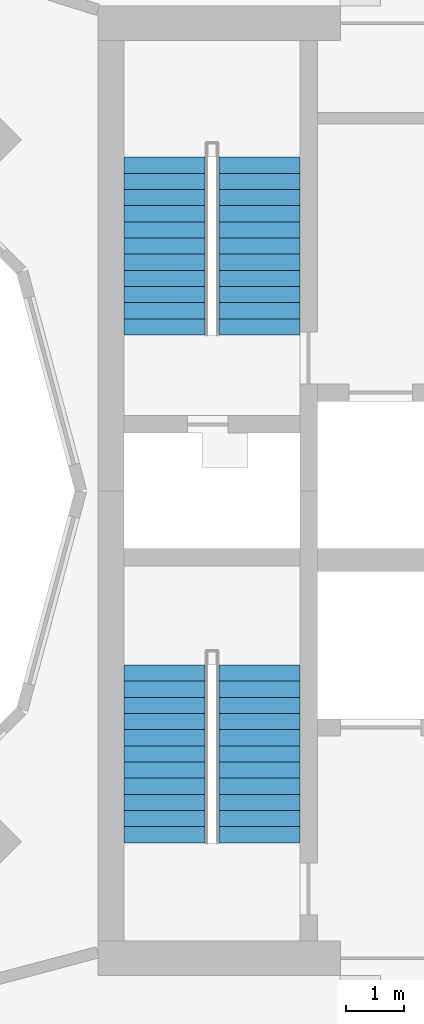
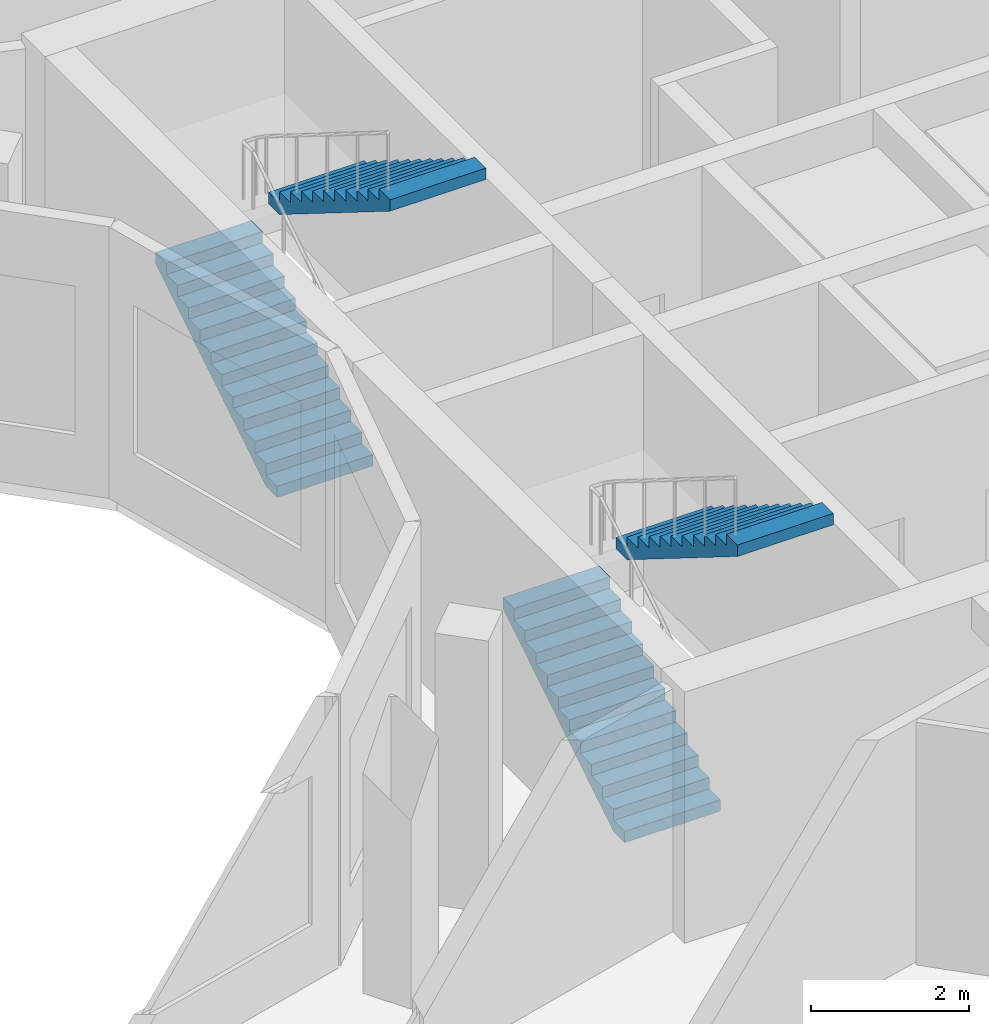
# One storey, part 13 of 15: 4 stair flights, 2 elements without a shape of their own.
"""IFC4 building model written with IfcOpenShell, lengths in metres."""

from ifc_helpers import new_model, si_unit, direction, frame, origin, place, context, subcontext, project, spatial, polyline, outline, extrude, material, layer, layer_set, type_object, element, aggregate, save


model = new_model("IFC4")

# Units and contexts
model_context = context("Model", 3, precision=1e-05, world=origin(), true_north=direction((0.0, 1.0)))
body_context = subcontext(model_context, "Body", "Model", "MODEL_VIEW")
ifc_project = project(units=[si_unit("LENGTHUNIT", "METRE"), si_unit("AREAUNIT", "SQUARE_METRE"), si_unit("VOLUMEUNIT", "CUBIC_METRE"), si_unit("PLANEANGLEUNIT", "RADIAN"), si_unit("MASSUNIT", "GRAM", prefix="KILO")], contexts=[model_context])

# Site, building, storey
site_placement = place(None, origin())
site = spatial("IfcSite", under=ifc_project, at=site_placement, CompositionType="ELEMENT")
building_placement = place(site_placement, origin())
building = spatial("IfcBuilding", under=site, at=building_placement, Name="Torre Brocal", CompositionType="ELEMENT")
storey_placement = place(building_placement, frame((0.0, 0.0, 262.5)))
storey = spatial("IfcBuildingStorey", under=building, at=storey_placement, Name="L60", CompositionType="ELEMENT", Elevation=262.5)

# Stair, stair flights
ifc_material_1 = material(Name="Concrete C50", Category="concrete")
stair_type = type_object("IfcStairType", Name="EXIT STAIR", PredefinedType="HALF_TURN_STAIR", material=ifc_material_1)
stair_1_placement = place(storey_placement, origin())
stair_1 = element("IfcStair", 1, at=stair_1_placement, inside=storey, type_object=stair_type, Name="EXIT STAIR ST1", PredefinedType="HALF_TURN_STAIR")
ifc_material_2 = material(Name="Concrete C50", Category="concrete")
ifc_layer = layer(ifc_material_2, 0.14990234375)
ifc_layer_set = layer_set([ifc_layer], Name="Concrete C50")
stair_flight_type = type_object("IfcStairFlightType", Name="STAIR FLIGHT", PredefinedType="STRAIGHT", material=ifc_layer_set)
stair_flight_1_placement = place(storey_placement, frame((89.050048828125, 77.699951171875, 0.0), z_axis=(0.0, 0.0, 1.0), x_axis=(0.0, 1.0, 0.0)))
stair_flight_1 = element("IfcStairFlight", 2, at=stair_flight_1_placement, type_object=stair_flight_type, Name="ST1 flight 1", NumberOfRisers=12, NumberOfTreads=11, PredefinedType="STRAIGHT", RiserHeight=0.175, TreadLength=0.28, context=body_context, shape_type="SweptSolid", body=[
    extrude(outline(polyline([(0.0, 0.0), (0.0, 0.175048828125), (0.280029296875, 0.175048828125), (0.280029296875, 0.35009765625), (0.56005859375, 0.35009765625), (0.56005859375, 0.52490234375), (0.840087890625, 0.52490234375), (0.840087890625, 0.699951171875), (1.1201171875, 0.699951171875), (1.1201171875, 0.875), (1.39990234375, 0.875), (1.39990234375, 1.050048828125), (1.679931640625, 1.050048828125), (1.679931640625, 1.22509765625), (1.9599609375, 1.22509765625), (1.9599609375, 1.39990234375), (2.239990234375, 1.39990234375), (2.239990234375, 1.574951171875), (2.52001953125, 1.574951171875), (2.52001953125, 1.75), (2.800048828125, 1.75), (2.800048828125, 1.925048828125), (3.080078125, 1.925048828125), (3.080078125, 2.10009765625), (3.080078125, 1.748291015625), (0.28271484375, 0.0), (0.0, 0.0)])), frame((0.0, 0.699951171875, 0.0), z_axis=(0.0, -1.0, 0.0), x_axis=(1.0, 0.0, 0.0)), (0.0, 0.0, 1.0), 1.39990234375),
])
stair_flight_2_placement = place(storey_placement, frame((90.699951171875, 80.780029296875, 2.10009765625), z_axis=(0.0, 0.0, 1.0), x_axis=(0.0, -1.0, 0.0)))
stair_flight_2 = element("IfcStairFlight", 3, at=stair_flight_2_placement, type_object=stair_flight_type, Name="ST1 flight 2", NumberOfRisers=12, NumberOfTreads=11, PredefinedType="STRAIGHT", RiserHeight=0.175, TreadLength=0.28, context=body_context, shape_type="SweptSolid", body=[
    extrude(outline(polyline([(0.0, 0.0), (0.0, 0.175048828125), (0.280029296875, 0.175048828125), (0.280029296875, 0.35009765625), (0.56005859375, 0.35009765625), (0.56005859375, 0.52490234375), (0.840087890625, 0.52490234375), (0.840087890625, 0.699951171875), (1.1201171875, 0.699951171875), (1.1201171875, 0.875), (1.39990234375, 0.875), (1.39990234375, 1.050048828125), (1.679931640625, 1.050048828125), (1.679931640625, 1.22509765625), (1.9599609375, 1.22509765625), (1.9599609375, 1.39990234375), (2.239990234375, 1.39990234375), (2.239990234375, 1.574951171875), (2.52001953125, 1.574951171875), (2.52001953125, 1.75), (2.800048828125, 1.75), (2.800048828125, 1.925048828125), (3.080078125, 1.925048828125), (3.080078125, 2.10009765625), (3.080078125, 1.748291015625), (0.28271484375, 0.0), (0.0, 0.0)])), frame((0.0, 0.699951171875, 0.0), z_axis=(0.0, -1.0, 0.0), x_axis=(1.0, 0.0, 0.0)), (0.0, 0.0, 1.0), 1.39990234375),
])
aggregate(stair_1, [stair_flight_1, stair_flight_2])

stair_2_placement = place(storey_placement, origin())
stair_2 = element("IfcStair", 4, at=stair_2_placement, inside=storey, type_object=stair_type, Name="EXIT STAIR ST2", PredefinedType="HALF_TURN_STAIR")
stair_flight_3_placement = place(storey_placement, frame((89.050048828125, 68.89990234375, 0.0), z_axis=(0.0, 0.0, 1.0), x_axis=(0.0, 1.0, 0.0)))
stair_flight_3 = element("IfcStairFlight", 5, at=stair_flight_3_placement, type_object=stair_flight_type, Name="ST2 flight 1", NumberOfRisers=12, NumberOfTreads=11, PredefinedType="STRAIGHT", RiserHeight=0.175, TreadLength=0.28, context=body_context, shape_type="SweptSolid", body=[
    extrude(outline(polyline([(0.0, 0.0), (0.0, 0.175048828125), (0.280029296875, 0.175048828125), (0.280029296875, 0.35009765625), (0.56005859375, 0.35009765625), (0.56005859375, 0.52490234375), (0.840087890625, 0.52490234375), (0.840087890625, 0.699951171875), (1.1201171875, 0.699951171875), (1.1201171875, 0.875), (1.39990234375, 0.875), (1.39990234375, 1.050048828125), (1.679931640625, 1.050048828125), (1.679931640625, 1.22509765625), (1.9599609375, 1.22509765625), (1.9599609375, 1.39990234375), (2.239990234375, 1.39990234375), (2.239990234375, 1.574951171875), (2.52001953125, 1.574951171875), (2.52001953125, 1.75), (2.800048828125, 1.75), (2.800048828125, 1.925048828125), (3.080078125, 1.925048828125), (3.080078125, 2.10009765625), (3.080078125, 1.748291015625), (0.28271484375, 0.0), (0.0, 0.0)])), frame((0.0, 0.699951171875, 0.0), z_axis=(0.0, -1.0, 0.0), x_axis=(1.0, 0.0, 0.0)), (0.0, 0.0, 1.0), 1.39990234375),
])
stair_flight_4_placement = place(storey_placement, frame((90.699951171875, 71.97998046875, 2.10009765625), z_axis=(0.0, 0.0, 1.0), x_axis=(0.0, -1.0, 0.0)))
stair_flight_4 = element("IfcStairFlight", 6, at=stair_flight_4_placement, type_object=stair_flight_type, Name="ST2 flight 2", NumberOfRisers=12, NumberOfTreads=11, PredefinedType="STRAIGHT", RiserHeight=0.175, TreadLength=0.28, context=body_context, shape_type="SweptSolid", body=[
    extrude(outline(polyline([(0.0, 0.0), (0.0, 0.175048828125), (0.280029296875, 0.175048828125), (0.280029296875, 0.35009765625), (0.56005859375, 0.35009765625), (0.56005859375, 0.52490234375), (0.840087890625, 0.52490234375), (0.840087890625, 0.699951171875), (1.1201171875, 0.699951171875), (1.1201171875, 0.875), (1.39990234375, 0.875), (1.39990234375, 1.050048828125), (1.679931640625, 1.050048828125), (1.679931640625, 1.22509765625), (1.9599609375, 1.22509765625), (1.9599609375, 1.39990234375), (2.239990234375, 1.39990234375), (2.239990234375, 1.574951171875), (2.52001953125, 1.574951171875), (2.52001953125, 1.75), (2.800048828125, 1.75), (2.800048828125, 1.925048828125), (3.080078125, 1.925048828125), (3.080078125, 2.10009765625), (3.080078125, 1.748291015625), (0.28271484375, 0.0), (0.0, 0.0)])), frame((0.0, 0.699951171875, 0.0), z_axis=(0.0, -1.0, 0.0), x_axis=(1.0, 0.0, 0.0)), (0.0, 0.0, 1.0), 1.39990234375),
])
aggregate(stair_2, [stair_flight_3, stair_flight_4])

save(model, "model.ifc")
